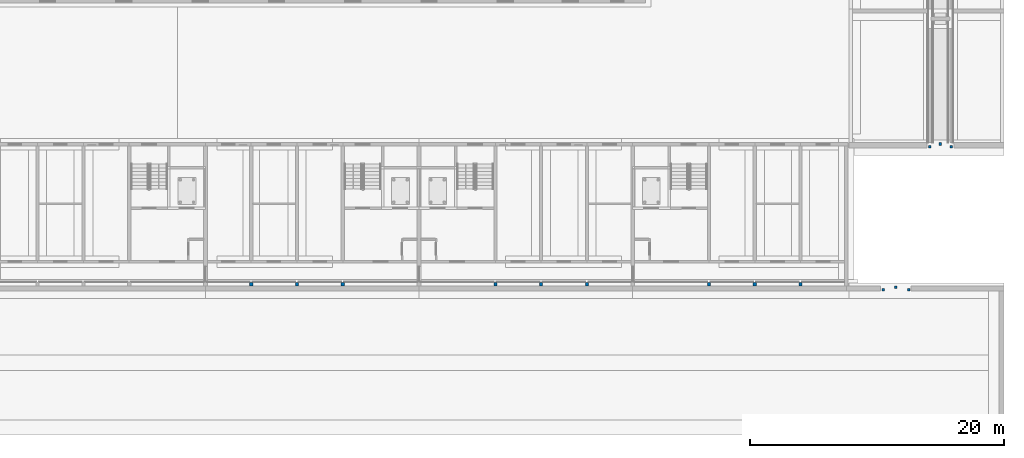
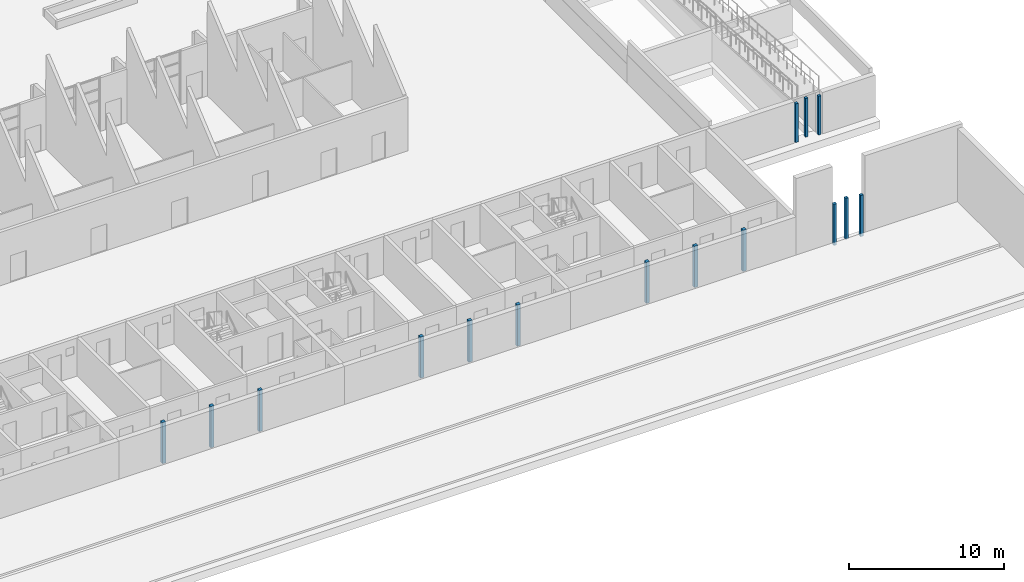
# One storey, part 14 of 112: 15 columns.
"""IFC4 building model written with IfcOpenShell, lengths in metres."""

from ifc_helpers import new_model, si_unit, direction, frame, origin, origin_2d, place, context, subcontext, project, spatial, rectangle, extrude, material, material_profile, profile_set, type_object, element, save


model = new_model("IFC4")

# Units and contexts
model_context = context("Model", 3, precision=1e-05, world=origin(), true_north=direction((0.0, 1.0)))
body_context = subcontext(model_context, "Body", "Model", "MODEL_VIEW")
ifc_project = project(units=[si_unit("LENGTHUNIT", "METRE"), si_unit("AREAUNIT", "SQUARE_METRE"), si_unit("VOLUMEUNIT", "CUBIC_METRE"), si_unit("PLANEANGLEUNIT", "RADIAN"), si_unit("MASSUNIT", "GRAM", prefix="KILO")], contexts=[model_context])

# Site, building, storey
site_placement = place(None, origin())
site = spatial("IfcSite", under=ifc_project, at=site_placement, CompositionType="ELEMENT")
building_placement = place(site_placement, origin())
building = spatial("IfcBuilding", under=site, at=building_placement, Name="Ridgestep Commons", CompositionType="ELEMENT")
storey_placement = place(building_placement, origin())
storey = spatial("IfcBuildingStorey", under=building, at=storey_placement, Name="L00", CompositionType="ELEMENT", Elevation=0.0)

# Columns
ifc_material_1 = material(Name="Precast concrete C40/50", Category="concrete")
ifc_material_profile_1 = material_profile(ifc_material_1, rectangle(XDim=0.199951171875, YDim=0.199951171875, at=origin_2d()), Name="Community landing post 200")
ifc_profile_set_1 = profile_set([ifc_material_profile_1], Name="Precast concrete C40/50")
column_type_1 = type_object("IfcColumnType", Name="Community landing post 200", PredefinedType="COLUMN", material=ifc_profile_set_1)
for number, where, z_axis, x_axis, name in (
    (1, (254.14990234375, 22.699951171875, -0.25), (0.0, 0.0, 1.0), (1.0, 0.0, 0.0), "Landing post"),
    (2, (255.85009765625, 22.699951171875, -0.25), (0.0, 0.0, 1.0), (1.0, 0.0, 0.0), "Landing post"),
    (3, (255.0, 22.89990234375, -0.25), (0.0, 0.0, 1.0), (1.0, 0.0, 0.0), "Landing post"),
):
    element("IfcColumn", number, at=place(storey_placement, frame(where, z_axis=z_axis, x_axis=x_axis)), inside=storey, type_object=column_type_1, Name=name, PredefinedType="COLUMN", context=body_context, shape_type="SweptSolid", body=[
        extrude(rectangle(XDim=0.199951171875, YDim=0.199951171875, at=origin_2d()), origin(), (0.0, 0.0, 1.0), 3.050048828125),
    ])
for number, where, z_axis, x_axis, name in (
    (4, (250.5, 11.449951171875, -0.25), (0.0, 0.0, 1.0), (1.0, 0.0, 0.0), "Landing post"),
    (5, (252.5, 11.449951171875, -0.25), (0.0, 0.0, 1.0), (1.0, 0.0, 0.0), "Landing post"),
    (6, (251.5, 11.64990234375, -0.25), (0.0, 0.0, 1.0), (1.0, 0.0, 0.0), "Landing post"),
):
    element("IfcColumn", number, at=place(storey_placement, frame(where, z_axis=z_axis, x_axis=x_axis)), inside=storey, type_object=column_type_1, Name=name, PredefinedType="COLUMN", context=body_context, shape_type="SweptSolid", body=[
        extrude(rectangle(XDim=0.199951171875, YDim=0.199951171875, at=origin_2d()), origin(), (0.0, 0.0, 1.0), 3.25),
    ])
ifc_material_2 = material(Name="Precast concrete C40/50", Category="concrete")
ifc_material_profile_2 = material_profile(ifc_material_2, rectangle(XDim=0.25, YDim=0.25, at=origin_2d()), Name="PC 250x250")
ifc_profile_set_2 = profile_set([ifc_material_profile_2], Name="Precast concrete C40/50")
column_type_2 = type_object("IfcColumnType", Name="Loggia column 250 x 250", PredefinedType="COLUMN", material=ifc_profile_set_2)
for number, where, z_axis, x_axis, name in (
    (7, (200.800048828125, 11.875, -0.25), (0.0, 0.0, 1.0), (1.0, 0.0, 0.0), "Loggia column D L00"),
    (8, (204.39990234375, 11.875, -0.25), (0.0, 0.0, 1.0), (1.0, 0.0, 0.0), "Loggia column D L00"),
    (9, (208.0, 11.875, -0.25), (0.0, 0.0, 1.0), (1.0, 0.0, 0.0), "Loggia column D L00"),
    (10, (220.0, 11.875, -0.25), (0.0, 0.0, 1.0), (1.0, 0.0, 0.0), "Loggia column D L00"),
    (11, (223.60009765625, 11.875, -0.25), (0.0, 0.0, 1.0), (1.0, 0.0, 0.0), "Loggia column D L00"),
    (12, (227.199951171875, 11.875, -0.25), (0.0, 0.0, 1.0), (1.0, 0.0, 0.0), "Loggia column D L00"),
    (13, (236.800048828125, 11.875, -0.25), (0.0, 0.0, 1.0), (1.0, 0.0, 0.0), "Loggia column D L00"),
    (14, (240.39990234375, 11.875, -0.25), (0.0, 0.0, 1.0), (1.0, 0.0, 0.0), "Loggia column D L00"),
    (15, (244.0, 11.875, -0.25), (0.0, 0.0, 1.0), (1.0, 0.0, 0.0), "Loggia column D L00"),
):
    element("IfcColumn", number, at=place(storey_placement, frame(where, z_axis=z_axis, x_axis=x_axis)), inside=storey, type_object=column_type_2, Name=name, PredefinedType="COLUMN", context=body_context, shape_type="SweptSolid", body=[
        extrude(rectangle(XDim=0.25, YDim=0.25, at=origin_2d()), origin(), (0.0, 0.0, 1.0), 3.25),
    ])

save(model, "model.ifc")
